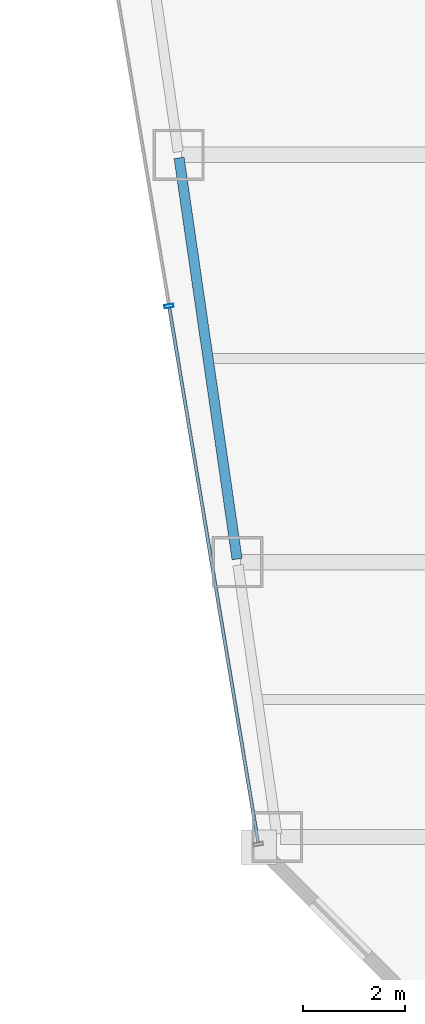
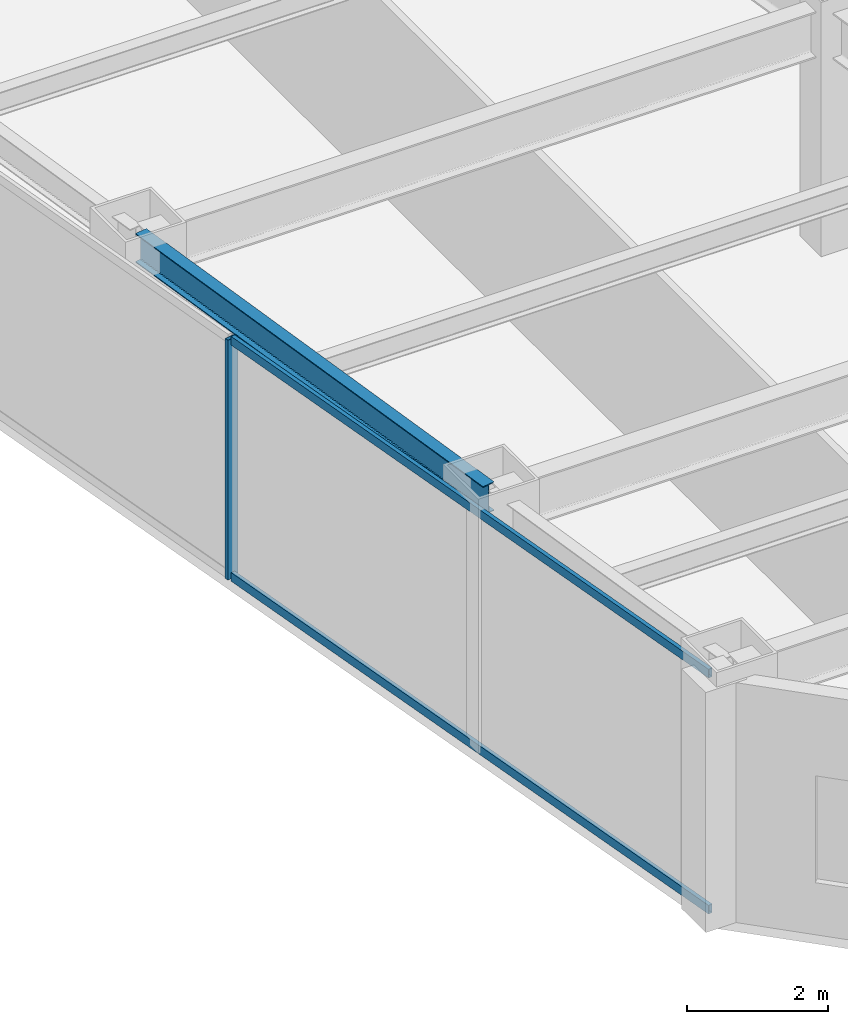
# One storey, part 3 of 37: 3 members, 1 beam, 1 element without a shape of its own.
"""IFC4 building model written with IfcOpenShell, lengths in metres."""

from ifc_helpers import new_model, si_unit, direction, frame, origin, origin_2d, place, context, subcontext, project, spatial, hollow_rectangle, i_section, extrude, material, material_profile, profile_set, type_object, element, aggregate, save


model = new_model("IFC4")

# Units and contexts
model_context = context("Model", 3, precision=1e-05, world=origin(), true_north=direction((0.0, 1.0)))
body_context = subcontext(model_context, "Body", "Model", "MODEL_VIEW")
ifc_project = project(units=[si_unit("LENGTHUNIT", "METRE"), si_unit("AREAUNIT", "SQUARE_METRE"), si_unit("VOLUMEUNIT", "CUBIC_METRE"), si_unit("PLANEANGLEUNIT", "RADIAN"), si_unit("MASSUNIT", "GRAM", prefix="KILO")], contexts=[model_context])

# Site, building, storey
site_placement = place(None, origin())
site = spatial("IfcSite", under=ifc_project, at=site_placement, CompositionType="ELEMENT")
building_placement = place(site_placement, origin())
building = spatial("IfcBuilding", under=site, at=building_placement, Name="Saevonmaru Cultural Tower", CompositionType="ELEMENT")
storey_placement = place(building_placement, frame((0.0, 0.0, 106.0)))
storey = spatial("IfcBuildingStorey", under=building, at=storey_placement, Name="L22", CompositionType="ELEMENT", Elevation=106.0)

# Beam
ifc_material_1 = material(Name="Steel SM355", Category="steel")
ifc_material_profile_1 = material_profile(ifc_material_1, i_section(OverallWidth=0.199951171875, OverallDepth=0.5, WebThickness=0.010009765625, FlangeThickness=0.01611328125, FilletRadius=0.02001953125, at=origin_2d()), Name="H-500x200x10x16")
ifc_profile_set_1 = profile_set([ifc_material_profile_1], Name="Steel SM355")
beam_type = type_object("IfcBeamType", Name="BM-SP-H500", PredefinedType="SPANDREL", material=ifc_profile_set_1)
beam_placement = place(storey_placement, frame((10.619384765625, 16.059326171875, 3.89990234375), z_axis=(-0.142992129437, 0.989723825579, 0.0), x_axis=(-0.989723825579, -0.142992129437, 0.0)))
element("IfcBeam", 1, at=beam_placement, inside=storey, type_object=beam_type, Name="L22 West Splayed Spandrel 2", PredefinedType="SPANDREL", context=body_context, shape_type="SweptSolid", body=[
    extrude(i_section(OverallWidth=0.199951171875, OverallDepth=0.5, WebThickness=0.010009765625, FlangeThickness=0.01611328125, FilletRadius=0.02001953125, at=origin_2d()), origin(), (0.0, 0.0, 1.0), 7.963134765625),
])

# Curtain wall, members
ifc_material_2 = material(Name="Satin Bronze Anodised Aluminium", Category="aluminium")
curtain_wall_type = type_object("IfcCurtainWallType", Name="CW-TYP-A", PredefinedType="NOTDEFINED", material=ifc_material_2)
curtain_wall_placement = place(storey_placement, origin())
curtain_wall = element("IfcCurtainWall", 2, at=curtain_wall_placement, inside=storey, type_object=curtain_wall_type, Name="L22 Unitised Curtain Wall E12", PredefinedType="NOTDEFINED")
ifc_material_profile_2 = material_profile(ifc_material_2, hollow_rectangle(XDim=0.06494140625, YDim=0.179931640625, WallThickness=0.00390625, at=origin_2d()), Name="ALU-MULL-180x65x4")
ifc_profile_set_2 = profile_set([ifc_material_profile_2], Name="Satin Bronze Anodised Aluminium")
member_type_1 = type_object("IfcMemberType", Name="ML-CW-180x65", PredefinedType="MULLION", material=ifc_profile_set_2)
member_1_placement = place(storey_placement, frame((9.28173828125, 21.029541015625, 0.0), z_axis=(0.0, 0.0, 1.0), x_axis=(0.163998702345, -0.986460554523, 0.0)))
member_1 = element("IfcMember", 3, at=member_1_placement, type_object=member_type_1, Name="CW-TW-L22-E12 mullion 4", PredefinedType="MULLION", context=body_context, shape_type="SweptSolid", body=[
    extrude(hollow_rectangle(XDim=0.06494140625, YDim=0.179931640625, WallThickness=0.00390625, at=origin_2d()), origin(), (0.0, 0.0, 1.0), 4.14990234375),
])
ifc_material_profile_3 = material_profile(ifc_material_2, hollow_rectangle(XDim=0.06494140625, YDim=0.14990234375, WallThickness=0.00390625, at=origin_2d()), Name="ALU-TRAN-150x65x4")
ifc_profile_set_3 = profile_set([ifc_material_profile_3], Name="Satin Bronze Anodised Aluminium")
member_type_2 = type_object("IfcMemberType", Name="TR-CW-150x65", PredefinedType="USERDEFINED", material=ifc_profile_set_3)
member_2_placement = place(storey_placement, frame((9.287109375, 20.99755859375, 0.032470703125), z_axis=(0.163990079074, -0.9864619881, 0.0), x_axis=(0.9864619881, 0.163990079074, 0.0)))
member_2 = element("IfcMember", 4, at=member_2_placement, type_object=member_type_2, Name="CW-TW-L22-E12 transom 4.1", ObjectType="TRANSOM", PredefinedType="USERDEFINED", context=body_context, shape_type="SweptSolid", body=[
    extrude(hollow_rectangle(XDim=0.06494140625, YDim=0.14990234375, WallThickness=0.00390625, at=origin_2d()), origin(), (0.0, 0.0, 1.0), 10.650634765625),
])
member_3_placement = place(storey_placement, frame((9.287109375, 20.99755859375, 4.117431640625), z_axis=(0.163990079074, -0.9864619881, 0.0), x_axis=(0.9864619881, 0.163990079074, 0.0)))
member_3 = element("IfcMember", 5, at=member_3_placement, type_object=member_type_2, Name="CW-TW-L22-E12 transom 4.2", ObjectType="TRANSOM", PredefinedType="USERDEFINED", context=body_context, shape_type="SweptSolid", body=[
    extrude(hollow_rectangle(XDim=0.06494140625, YDim=0.14990234375, WallThickness=0.00390625, at=origin_2d()), origin(), (0.0, 0.0, 1.0), 10.650634765625),
])
aggregate(curtain_wall, [member_1, member_2, member_3])

save(model, "model.ifc")
